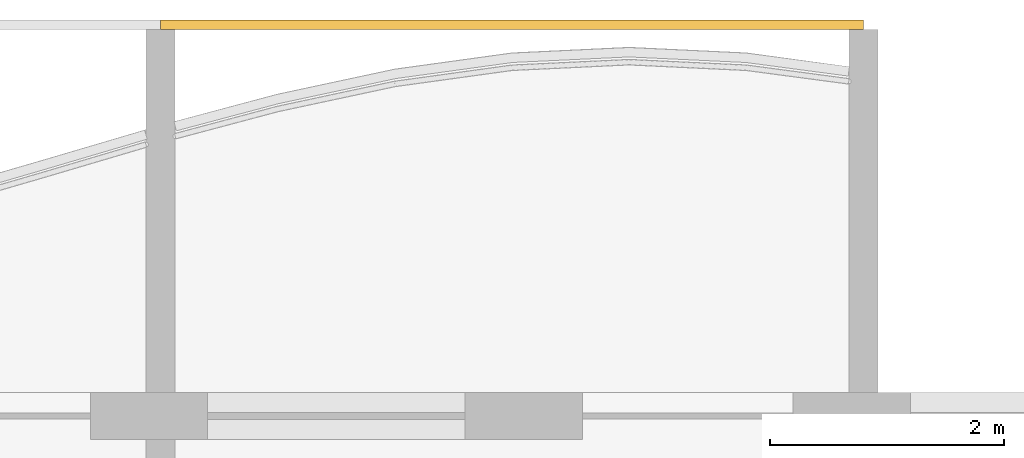
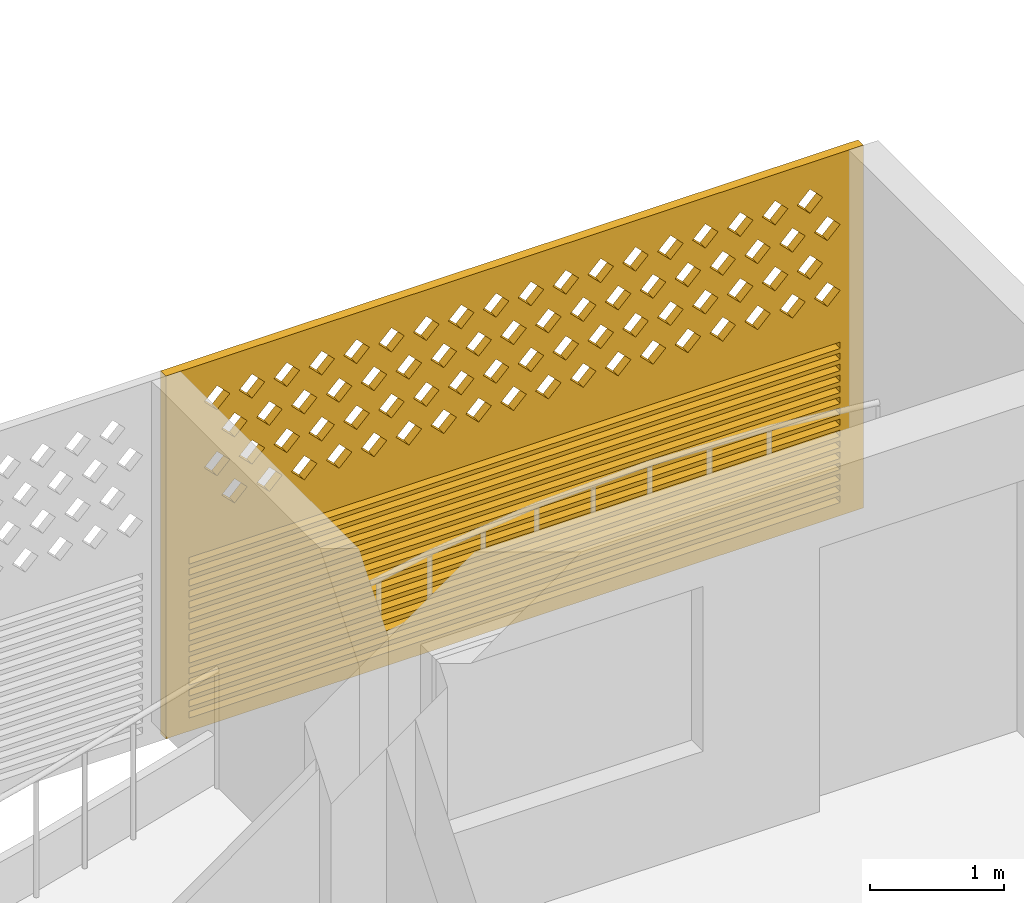
# One storey, part 23 of 29: 1 covering.
"""IFC4 building model written with IfcOpenShell, lengths in metres."""

from ifc_helpers import new_model, si_unit, direction, frame, origin, place, context, subcontext, project, spatial, polyline, outline, extrude, source, transform, mapped, material, material_profile, profile_set, type_object, element, save


model = new_model("IFC4")

# Units and contexts
model_context = context("Model", 3, precision=1e-05, world=origin(), true_north=direction((0.0, 1.0)))
body_context = subcontext(model_context, "Body", "Model", "MODEL_VIEW")
ifc_project = project(units=[si_unit("LENGTHUNIT", "METRE"), si_unit("AREAUNIT", "SQUARE_METRE"), si_unit("VOLUMEUNIT", "CUBIC_METRE"), si_unit("PLANEANGLEUNIT", "RADIAN"), si_unit("MASSUNIT", "GRAM", prefix="KILO")], contexts=[model_context])

# Site, building, storey
site_placement = place(None, origin())
site = spatial("IfcSite", under=ifc_project, at=site_placement, CompositionType="ELEMENT")
building_placement = place(site_placement, origin())
building = spatial("IfcBuilding", under=site, at=building_placement, Name="Poui Terraces", CompositionType="ELEMENT")
storey_placement = place(building_placement, frame((0.0, 0.0, 231.300048828125)))
storey = spatial("IfcBuildingStorey", under=building, at=storey_placement, Name="L64", CompositionType="ELEMENT", Elevation=231.300048828125)

# Covering
ifc_material = material(Name="Terracotta screen", Category="masonry")
ifc_material_profile = material_profile(ifc_material, outline(polyline([(-3.0, -1.64990234375), (3.0, -1.64990234375), (3.0, 1.64990234375), (-3.0, 1.64990234375), (-3.0, -1.64990234375)]), holes=[polyline([(-2.800048828125, 0.39990234375), (-2.68994140625, 0.2900390625), (-2.580078125, 0.39990234375), (-2.68994140625, 0.510009765625), (-2.800048828125, 0.39990234375)]), polyline([(-2.5, 0.39990234375), (-2.389892578125, 0.2900390625), (-2.280029296875, 0.39990234375), (-2.389892578125, 0.510009765625), (-2.5, 0.39990234375)]), polyline([(-2.199951171875, 0.39990234375), (-2.090087890625, 0.2900390625), (-1.97998046875, 0.39990234375), (-2.090087890625, 0.510009765625), (-2.199951171875, 0.39990234375)]), polyline([(-1.89990234375, 0.39990234375), (-1.7900390625, 0.2900390625), (-1.679931640625, 0.39990234375), (-1.7900390625, 0.510009765625), (-1.89990234375, 0.39990234375)]), polyline([(-1.60009765625, 0.39990234375), (-1.489990234375, 0.2900390625), (-1.3798828125, 0.39990234375), (-1.489990234375, 0.510009765625), (-1.60009765625, 0.39990234375)]), polyline([(-1.300048828125, 0.39990234375), (-1.18994140625, 0.2900390625), (-1.080078125, 0.39990234375), (-1.18994140625, 0.510009765625), (-1.300048828125, 0.39990234375)]), polyline([(-1.0, 0.39990234375), (-0.889892578125, 0.2900390625), (-0.780029296875, 0.39990234375), (-0.889892578125, 0.510009765625), (-1.0, 0.39990234375)]), polyline([(-0.699951171875, 0.39990234375), (-0.590087890625, 0.2900390625), (-0.47998046875, 0.39990234375), (-0.590087890625, 0.510009765625), (-0.699951171875, 0.39990234375)]), polyline([(-0.39990234375, 0.39990234375), (-0.2900390625, 0.2900390625), (-0.179931640625, 0.39990234375), (-0.2900390625, 0.510009765625), (-0.39990234375, 0.39990234375)]), polyline([(-0.10009765625, 0.39990234375), (0.010009765625, 0.2900390625), (0.1201171875, 0.39990234375), (0.010009765625, 0.510009765625), (-0.10009765625, 0.39990234375)]), polyline([(0.199951171875, 0.39990234375), (0.31005859375, 0.2900390625), (0.419921875, 0.39990234375), (0.31005859375, 0.510009765625), (0.199951171875, 0.39990234375)]), polyline([(0.5, 0.39990234375), (0.610107421875, 0.2900390625), (0.719970703125, 0.39990234375), (0.610107421875, 0.510009765625), (0.5, 0.39990234375)]), polyline([(0.800048828125, 0.39990234375), (0.909912109375, 0.2900390625), (1.02001953125, 0.39990234375), (0.909912109375, 0.510009765625), (0.800048828125, 0.39990234375)]), polyline([(1.10009765625, 0.39990234375), (1.2099609375, 0.2900390625), (1.320068359375, 0.39990234375), (1.2099609375, 0.510009765625), (1.10009765625, 0.39990234375)]), polyline([(1.39990234375, 0.39990234375), (1.510009765625, 0.2900390625), (1.6201171875, 0.39990234375), (1.510009765625, 0.510009765625), (1.39990234375, 0.39990234375)]), polyline([(1.699951171875, 0.39990234375), (1.81005859375, 0.2900390625), (1.919921875, 0.39990234375), (1.81005859375, 0.510009765625), (1.699951171875, 0.39990234375)]), polyline([(2.0, 0.39990234375), (2.110107421875, 0.2900390625), (2.219970703125, 0.39990234375), (2.110107421875, 0.510009765625), (2.0, 0.39990234375)]), polyline([(2.300048828125, 0.39990234375), (2.409912109375, 0.2900390625), (2.52001953125, 0.39990234375), (2.409912109375, 0.510009765625), (2.300048828125, 0.39990234375)]), polyline([(-2.64990234375, 0.699951171875), (-2.5400390625, 0.590087890625), (-2.429931640625, 0.699951171875), (-2.5400390625, 0.81005859375), (-2.64990234375, 0.699951171875)]), polyline([(-2.35009765625, 0.699951171875), (-2.239990234375, 0.590087890625), (-2.1298828125, 0.699951171875), (-2.239990234375, 0.81005859375), (-2.35009765625, 0.699951171875)]), polyline([(-2.050048828125, 0.699951171875), (-1.93994140625, 0.590087890625), (-1.830078125, 0.699951171875), (-1.93994140625, 0.81005859375), (-2.050048828125, 0.699951171875)]), polyline([(-1.75, 0.699951171875), (-1.639892578125, 0.590087890625), (-1.530029296875, 0.699951171875), (-1.639892578125, 0.81005859375), (-1.75, 0.699951171875)]), polyline([(-1.449951171875, 0.699951171875), (-1.340087890625, 0.590087890625), (-1.22998046875, 0.699951171875), (-1.340087890625, 0.81005859375), (-1.449951171875, 0.699951171875)]), polyline([(-1.14990234375, 0.699951171875), (-1.0400390625, 0.590087890625), (-0.929931640625, 0.699951171875), (-1.0400390625, 0.81005859375), (-1.14990234375, 0.699951171875)]), polyline([(-0.85009765625, 0.699951171875), (-0.739990234375, 0.590087890625), (-0.6298828125, 0.699951171875), (-0.739990234375, 0.81005859375), (-0.85009765625, 0.699951171875)]), polyline([(-0.550048828125, 0.699951171875), (-0.43994140625, 0.590087890625), (-0.330078125, 0.699951171875), (-0.43994140625, 0.81005859375), (-0.550048828125, 0.699951171875)]), polyline([(-0.25, 0.699951171875), (-0.139892578125, 0.590087890625), (-0.030029296875, 0.699951171875), (-0.139892578125, 0.81005859375), (-0.25, 0.699951171875)]), polyline([(0.050048828125, 0.699951171875), (0.159912109375, 0.590087890625), (0.27001953125, 0.699951171875), (0.159912109375, 0.81005859375), (0.050048828125, 0.699951171875)]), polyline([(0.35009765625, 0.699951171875), (0.4599609375, 0.590087890625), (0.570068359375, 0.699951171875), (0.4599609375, 0.81005859375), (0.35009765625, 0.699951171875)]), polyline([(0.64990234375, 0.699951171875), (0.760009765625, 0.590087890625), (0.8701171875, 0.699951171875), (0.760009765625, 0.81005859375), (0.64990234375, 0.699951171875)]), polyline([(0.949951171875, 0.699951171875), (1.06005859375, 0.590087890625), (1.169921875, 0.699951171875), (1.06005859375, 0.81005859375), (0.949951171875, 0.699951171875)]), polyline([(1.25, 0.699951171875), (1.360107421875, 0.590087890625), (1.469970703125, 0.699951171875), (1.360107421875, 0.81005859375), (1.25, 0.699951171875)]), polyline([(1.550048828125, 0.699951171875), (1.659912109375, 0.590087890625), (1.77001953125, 0.699951171875), (1.659912109375, 0.81005859375), (1.550048828125, 0.699951171875)]), polyline([(1.85009765625, 0.699951171875), (1.9599609375, 0.590087890625), (2.070068359375, 0.699951171875), (1.9599609375, 0.81005859375), (1.85009765625, 0.699951171875)]), polyline([(2.14990234375, 0.699951171875), (2.260009765625, 0.590087890625), (2.3701171875, 0.699951171875), (2.260009765625, 0.81005859375), (2.14990234375, 0.699951171875)]), polyline([(2.449951171875, 0.699951171875), (2.56005859375, 0.590087890625), (2.669921875, 0.699951171875), (2.56005859375, 0.81005859375), (2.449951171875, 0.699951171875)]), polyline([(-2.800048828125, 1.0), (-2.68994140625, 0.889892578125), (-2.580078125, 1.0), (-2.68994140625, 1.110107421875), (-2.800048828125, 1.0)]), polyline([(-2.5, 1.0), (-2.389892578125, 0.889892578125), (-2.280029296875, 1.0), (-2.389892578125, 1.110107421875), (-2.5, 1.0)]), polyline([(-2.199951171875, 1.0), (-2.090087890625, 0.889892578125), (-1.97998046875, 1.0), (-2.090087890625, 1.110107421875), (-2.199951171875, 1.0)]), polyline([(-1.89990234375, 1.0), (-1.7900390625, 0.889892578125), (-1.679931640625, 1.0), (-1.7900390625, 1.110107421875), (-1.89990234375, 1.0)]), polyline([(-1.60009765625, 1.0), (-1.489990234375, 0.889892578125), (-1.3798828125, 1.0), (-1.489990234375, 1.110107421875), (-1.60009765625, 1.0)]), polyline([(-1.300048828125, 1.0), (-1.18994140625, 0.889892578125), (-1.080078125, 1.0), (-1.18994140625, 1.110107421875), (-1.300048828125, 1.0)]), polyline([(-1.0, 1.0), (-0.889892578125, 0.889892578125), (-0.780029296875, 1.0), (-0.889892578125, 1.110107421875), (-1.0, 1.0)]), polyline([(-0.699951171875, 1.0), (-0.590087890625, 0.889892578125), (-0.47998046875, 1.0), (-0.590087890625, 1.110107421875), (-0.699951171875, 1.0)]), polyline([(-0.39990234375, 1.0), (-0.2900390625, 0.889892578125), (-0.179931640625, 1.0), (-0.2900390625, 1.110107421875), (-0.39990234375, 1.0)]), polyline([(-0.10009765625, 1.0), (0.010009765625, 0.889892578125), (0.1201171875, 1.0), (0.010009765625, 1.110107421875), (-0.10009765625, 1.0)]), polyline([(0.199951171875, 1.0), (0.31005859375, 0.889892578125), (0.419921875, 1.0), (0.31005859375, 1.110107421875), (0.199951171875, 1.0)]), polyline([(0.5, 1.0), (0.610107421875, 0.889892578125), (0.719970703125, 1.0), (0.610107421875, 1.110107421875), (0.5, 1.0)]), polyline([(0.800048828125, 1.0), (0.909912109375, 0.889892578125), (1.02001953125, 1.0), (0.909912109375, 1.110107421875), (0.800048828125, 1.0)]), polyline([(1.10009765625, 1.0), (1.2099609375, 0.889892578125), (1.320068359375, 1.0), (1.2099609375, 1.110107421875), (1.10009765625, 1.0)]), polyline([(1.39990234375, 1.0), (1.510009765625, 0.889892578125), (1.6201171875, 1.0), (1.510009765625, 1.110107421875), (1.39990234375, 1.0)]), polyline([(1.699951171875, 1.0), (1.81005859375, 0.889892578125), (1.919921875, 1.0), (1.81005859375, 1.110107421875), (1.699951171875, 1.0)]), polyline([(2.0, 1.0), (2.110107421875, 0.889892578125), (2.219970703125, 1.0), (2.110107421875, 1.110107421875), (2.0, 1.0)]), polyline([(2.300048828125, 1.0), (2.409912109375, 0.889892578125), (2.52001953125, 1.0), (2.409912109375, 1.110107421875), (2.300048828125, 1.0)]), polyline([(-2.64990234375, 1.300048828125), (-2.5400390625, 1.18994140625), (-2.429931640625, 1.300048828125), (-2.5400390625, 1.409912109375), (-2.64990234375, 1.300048828125)]), polyline([(-2.35009765625, 1.300048828125), (-2.239990234375, 1.18994140625), (-2.1298828125, 1.300048828125), (-2.239990234375, 1.409912109375), (-2.35009765625, 1.300048828125)]), polyline([(-2.050048828125, 1.300048828125), (-1.93994140625, 1.18994140625), (-1.830078125, 1.300048828125), (-1.93994140625, 1.409912109375), (-2.050048828125, 1.300048828125)]), polyline([(-1.75, 1.300048828125), (-1.639892578125, 1.18994140625), (-1.530029296875, 1.300048828125), (-1.639892578125, 1.409912109375), (-1.75, 1.300048828125)]), polyline([(-1.449951171875, 1.300048828125), (-1.340087890625, 1.18994140625), (-1.22998046875, 1.300048828125), (-1.340087890625, 1.409912109375), (-1.449951171875, 1.300048828125)]), polyline([(-1.14990234375, 1.300048828125), (-1.0400390625, 1.18994140625), (-0.929931640625, 1.300048828125), (-1.0400390625, 1.409912109375), (-1.14990234375, 1.300048828125)]), polyline([(-0.85009765625, 1.300048828125), (-0.739990234375, 1.18994140625), (-0.6298828125, 1.300048828125), (-0.739990234375, 1.409912109375), (-0.85009765625, 1.300048828125)]), polyline([(-0.550048828125, 1.300048828125), (-0.43994140625, 1.18994140625), (-0.330078125, 1.300048828125), (-0.43994140625, 1.409912109375), (-0.550048828125, 1.300048828125)]), polyline([(-0.25, 1.300048828125), (-0.139892578125, 1.18994140625), (-0.030029296875, 1.300048828125), (-0.139892578125, 1.409912109375), (-0.25, 1.300048828125)]), polyline([(0.050048828125, 1.300048828125), (0.159912109375, 1.18994140625), (0.27001953125, 1.300048828125), (0.159912109375, 1.409912109375), (0.050048828125, 1.300048828125)]), polyline([(0.35009765625, 1.300048828125), (0.4599609375, 1.18994140625), (0.570068359375, 1.300048828125), (0.4599609375, 1.409912109375), (0.35009765625, 1.300048828125)]), polyline([(0.64990234375, 1.300048828125), (0.760009765625, 1.18994140625), (0.8701171875, 1.300048828125), (0.760009765625, 1.409912109375), (0.64990234375, 1.300048828125)]), polyline([(0.949951171875, 1.300048828125), (1.06005859375, 1.18994140625), (1.169921875, 1.300048828125), (1.06005859375, 1.409912109375), (0.949951171875, 1.300048828125)]), polyline([(1.25, 1.300048828125), (1.360107421875, 1.18994140625), (1.469970703125, 1.300048828125), (1.360107421875, 1.409912109375), (1.25, 1.300048828125)]), polyline([(1.550048828125, 1.300048828125), (1.659912109375, 1.18994140625), (1.77001953125, 1.300048828125), (1.659912109375, 1.409912109375), (1.550048828125, 1.300048828125)]), polyline([(1.85009765625, 1.300048828125), (1.9599609375, 1.18994140625), (2.070068359375, 1.300048828125), (1.9599609375, 1.409912109375), (1.85009765625, 1.300048828125)]), polyline([(2.14990234375, 1.300048828125), (2.260009765625, 1.18994140625), (2.3701171875, 1.300048828125), (2.260009765625, 1.409912109375), (2.14990234375, 1.300048828125)]), polyline([(2.449951171875, 1.300048828125), (2.56005859375, 1.18994140625), (2.669921875, 1.300048828125), (2.56005859375, 1.409912109375), (2.449951171875, 1.300048828125)]), polyline([(-2.800048828125, -1.530029296875), (2.800048828125, -1.530029296875), (2.800048828125, -1.469970703125), (-2.800048828125, -1.469970703125), (-2.800048828125, -1.530029296875)]), polyline([(-2.800048828125, -1.429931640625), (2.800048828125, -1.429931640625), (2.800048828125, -1.3701171875), (-2.800048828125, -1.3701171875), (-2.800048828125, -1.429931640625)]), polyline([(-2.800048828125, -1.330078125), (2.800048828125, -1.330078125), (2.800048828125, -1.27001953125), (-2.800048828125, -1.27001953125), (-2.800048828125, -1.330078125)]), polyline([(-2.800048828125, -1.22998046875), (2.800048828125, -1.22998046875), (2.800048828125, -1.169921875), (-2.800048828125, -1.169921875), (-2.800048828125, -1.22998046875)]), polyline([(-2.800048828125, -1.1298828125), (2.800048828125, -1.1298828125), (2.800048828125, -1.070068359375), (-2.800048828125, -1.070068359375), (-2.800048828125, -1.1298828125)]), polyline([(-2.800048828125, -1.030029296875), (2.800048828125, -1.030029296875), (2.800048828125, -0.969970703125), (-2.800048828125, -0.969970703125), (-2.800048828125, -1.030029296875)]), polyline([(-2.800048828125, -0.929931640625), (2.800048828125, -0.929931640625), (2.800048828125, -0.8701171875), (-2.800048828125, -0.8701171875), (-2.800048828125, -0.929931640625)]), polyline([(-2.800048828125, -0.830078125), (2.800048828125, -0.830078125), (2.800048828125, -0.77001953125), (-2.800048828125, -0.77001953125), (-2.800048828125, -0.830078125)]), polyline([(-2.800048828125, -0.72998046875), (2.800048828125, -0.72998046875), (2.800048828125, -0.669921875), (-2.800048828125, -0.669921875), (-2.800048828125, -0.72998046875)]), polyline([(-2.800048828125, -0.6298828125), (2.800048828125, -0.6298828125), (2.800048828125, -0.570068359375), (-2.800048828125, -0.570068359375), (-2.800048828125, -0.6298828125)]), polyline([(-2.800048828125, -0.530029296875), (2.800048828125, -0.530029296875), (2.800048828125, -0.469970703125), (-2.800048828125, -0.469970703125), (-2.800048828125, -0.530029296875)]), polyline([(-2.800048828125, -0.429931640625), (2.800048828125, -0.429931640625), (2.800048828125, -0.3701171875), (-2.800048828125, -0.3701171875), (-2.800048828125, -0.429931640625)]), polyline([(-2.800048828125, -0.330078125), (2.800048828125, -0.330078125), (2.800048828125, -0.27001953125), (-2.800048828125, -0.27001953125), (-2.800048828125, -0.330078125)]), polyline([(-2.800048828125, -0.22998046875), (2.800048828125, -0.22998046875), (2.800048828125, -0.169921875), (-2.800048828125, -0.169921875), (-2.800048828125, -0.22998046875)]), polyline([(-2.800048828125, -0.1298828125), (2.800048828125, -0.1298828125), (2.800048828125, -0.070068359375), (-2.800048828125, -0.070068359375), (-2.800048828125, -0.1298828125)])]), Name="TERRACOTTA SCREEN AND JALOUSIE LOUVRE 6000X3300")
ifc_profile_set = profile_set([ifc_material_profile], Name="Terracotta screen")
covering_type = type_object("IfcCoveringType", Name="TERRACOTTA SCREEN AND JALOUSIE LOUVRE 6000X3300", PredefinedType="CLADDING", material=ifc_profile_set)
shared_shape = source(origin(), body_context, "Body", "SweptSolid", [
    extrude(outline(polyline([(-3.0, -1.64990234375), (3.0, -1.64990234375), (3.0, 1.64990234375), (-3.0, 1.64990234375), (-3.0, -1.64990234375)]), holes=[polyline([(-2.800048828125, 0.39990234375), (-2.68994140625, 0.2900390625), (-2.580078125, 0.39990234375), (-2.68994140625, 0.510009765625), (-2.800048828125, 0.39990234375)]), polyline([(-2.5, 0.39990234375), (-2.389892578125, 0.2900390625), (-2.280029296875, 0.39990234375), (-2.389892578125, 0.510009765625), (-2.5, 0.39990234375)]), polyline([(-2.199951171875, 0.39990234375), (-2.090087890625, 0.2900390625), (-1.97998046875, 0.39990234375), (-2.090087890625, 0.510009765625), (-2.199951171875, 0.39990234375)]), polyline([(-1.89990234375, 0.39990234375), (-1.7900390625, 0.2900390625), (-1.679931640625, 0.39990234375), (-1.7900390625, 0.510009765625), (-1.89990234375, 0.39990234375)]), polyline([(-1.60009765625, 0.39990234375), (-1.489990234375, 0.2900390625), (-1.3798828125, 0.39990234375), (-1.489990234375, 0.510009765625), (-1.60009765625, 0.39990234375)]), polyline([(-1.300048828125, 0.39990234375), (-1.18994140625, 0.2900390625), (-1.080078125, 0.39990234375), (-1.18994140625, 0.510009765625), (-1.300048828125, 0.39990234375)]), polyline([(-1.0, 0.39990234375), (-0.889892578125, 0.2900390625), (-0.780029296875, 0.39990234375), (-0.889892578125, 0.510009765625), (-1.0, 0.39990234375)]), polyline([(-0.699951171875, 0.39990234375), (-0.590087890625, 0.2900390625), (-0.47998046875, 0.39990234375), (-0.590087890625, 0.510009765625), (-0.699951171875, 0.39990234375)]), polyline([(-0.39990234375, 0.39990234375), (-0.2900390625, 0.2900390625), (-0.179931640625, 0.39990234375), (-0.2900390625, 0.510009765625), (-0.39990234375, 0.39990234375)]), polyline([(-0.10009765625, 0.39990234375), (0.010009765625, 0.2900390625), (0.1201171875, 0.39990234375), (0.010009765625, 0.510009765625), (-0.10009765625, 0.39990234375)]), polyline([(0.199951171875, 0.39990234375), (0.31005859375, 0.2900390625), (0.419921875, 0.39990234375), (0.31005859375, 0.510009765625), (0.199951171875, 0.39990234375)]), polyline([(0.5, 0.39990234375), (0.610107421875, 0.2900390625), (0.719970703125, 0.39990234375), (0.610107421875, 0.510009765625), (0.5, 0.39990234375)]), polyline([(0.800048828125, 0.39990234375), (0.909912109375, 0.2900390625), (1.02001953125, 0.39990234375), (0.909912109375, 0.510009765625), (0.800048828125, 0.39990234375)]), polyline([(1.10009765625, 0.39990234375), (1.2099609375, 0.2900390625), (1.320068359375, 0.39990234375), (1.2099609375, 0.510009765625), (1.10009765625, 0.39990234375)]), polyline([(1.39990234375, 0.39990234375), (1.510009765625, 0.2900390625), (1.6201171875, 0.39990234375), (1.510009765625, 0.510009765625), (1.39990234375, 0.39990234375)]), polyline([(1.699951171875, 0.39990234375), (1.81005859375, 0.2900390625), (1.919921875, 0.39990234375), (1.81005859375, 0.510009765625), (1.699951171875, 0.39990234375)]), polyline([(2.0, 0.39990234375), (2.110107421875, 0.2900390625), (2.219970703125, 0.39990234375), (2.110107421875, 0.510009765625), (2.0, 0.39990234375)]), polyline([(2.300048828125, 0.39990234375), (2.409912109375, 0.2900390625), (2.52001953125, 0.39990234375), (2.409912109375, 0.510009765625), (2.300048828125, 0.39990234375)]), polyline([(-2.64990234375, 0.699951171875), (-2.5400390625, 0.590087890625), (-2.429931640625, 0.699951171875), (-2.5400390625, 0.81005859375), (-2.64990234375, 0.699951171875)]), polyline([(-2.35009765625, 0.699951171875), (-2.239990234375, 0.590087890625), (-2.1298828125, 0.699951171875), (-2.239990234375, 0.81005859375), (-2.35009765625, 0.699951171875)]), polyline([(-2.050048828125, 0.699951171875), (-1.93994140625, 0.590087890625), (-1.830078125, 0.699951171875), (-1.93994140625, 0.81005859375), (-2.050048828125, 0.699951171875)]), polyline([(-1.75, 0.699951171875), (-1.639892578125, 0.590087890625), (-1.530029296875, 0.699951171875), (-1.639892578125, 0.81005859375), (-1.75, 0.699951171875)]), polyline([(-1.449951171875, 0.699951171875), (-1.340087890625, 0.590087890625), (-1.22998046875, 0.699951171875), (-1.340087890625, 0.81005859375), (-1.449951171875, 0.699951171875)]), polyline([(-1.14990234375, 0.699951171875), (-1.0400390625, 0.590087890625), (-0.929931640625, 0.699951171875), (-1.0400390625, 0.81005859375), (-1.14990234375, 0.699951171875)]), polyline([(-0.85009765625, 0.699951171875), (-0.739990234375, 0.590087890625), (-0.6298828125, 0.699951171875), (-0.739990234375, 0.81005859375), (-0.85009765625, 0.699951171875)]), polyline([(-0.550048828125, 0.699951171875), (-0.43994140625, 0.590087890625), (-0.330078125, 0.699951171875), (-0.43994140625, 0.81005859375), (-0.550048828125, 0.699951171875)]), polyline([(-0.25, 0.699951171875), (-0.139892578125, 0.590087890625), (-0.030029296875, 0.699951171875), (-0.139892578125, 0.81005859375), (-0.25, 0.699951171875)]), polyline([(0.050048828125, 0.699951171875), (0.159912109375, 0.590087890625), (0.27001953125, 0.699951171875), (0.159912109375, 0.81005859375), (0.050048828125, 0.699951171875)]), polyline([(0.35009765625, 0.699951171875), (0.4599609375, 0.590087890625), (0.570068359375, 0.699951171875), (0.4599609375, 0.81005859375), (0.35009765625, 0.699951171875)]), polyline([(0.64990234375, 0.699951171875), (0.760009765625, 0.590087890625), (0.8701171875, 0.699951171875), (0.760009765625, 0.81005859375), (0.64990234375, 0.699951171875)]), polyline([(0.949951171875, 0.699951171875), (1.06005859375, 0.590087890625), (1.169921875, 0.699951171875), (1.06005859375, 0.81005859375), (0.949951171875, 0.699951171875)]), polyline([(1.25, 0.699951171875), (1.360107421875, 0.590087890625), (1.469970703125, 0.699951171875), (1.360107421875, 0.81005859375), (1.25, 0.699951171875)]), polyline([(1.550048828125, 0.699951171875), (1.659912109375, 0.590087890625), (1.77001953125, 0.699951171875), (1.659912109375, 0.81005859375), (1.550048828125, 0.699951171875)]), polyline([(1.85009765625, 0.699951171875), (1.9599609375, 0.590087890625), (2.070068359375, 0.699951171875), (1.9599609375, 0.81005859375), (1.85009765625, 0.699951171875)]), polyline([(2.14990234375, 0.699951171875), (2.260009765625, 0.590087890625), (2.3701171875, 0.699951171875), (2.260009765625, 0.81005859375), (2.14990234375, 0.699951171875)]), polyline([(2.449951171875, 0.699951171875), (2.56005859375, 0.590087890625), (2.669921875, 0.699951171875), (2.56005859375, 0.81005859375), (2.449951171875, 0.699951171875)]), polyline([(-2.800048828125, 1.0), (-2.68994140625, 0.889892578125), (-2.580078125, 1.0), (-2.68994140625, 1.110107421875), (-2.800048828125, 1.0)]), polyline([(-2.5, 1.0), (-2.389892578125, 0.889892578125), (-2.280029296875, 1.0), (-2.389892578125, 1.110107421875), (-2.5, 1.0)]), polyline([(-2.199951171875, 1.0), (-2.090087890625, 0.889892578125), (-1.97998046875, 1.0), (-2.090087890625, 1.110107421875), (-2.199951171875, 1.0)]), polyline([(-1.89990234375, 1.0), (-1.7900390625, 0.889892578125), (-1.679931640625, 1.0), (-1.7900390625, 1.110107421875), (-1.89990234375, 1.0)]), polyline([(-1.60009765625, 1.0), (-1.489990234375, 0.889892578125), (-1.3798828125, 1.0), (-1.489990234375, 1.110107421875), (-1.60009765625, 1.0)]), polyline([(-1.300048828125, 1.0), (-1.18994140625, 0.889892578125), (-1.080078125, 1.0), (-1.18994140625, 1.110107421875), (-1.300048828125, 1.0)]), polyline([(-1.0, 1.0), (-0.889892578125, 0.889892578125), (-0.780029296875, 1.0), (-0.889892578125, 1.110107421875), (-1.0, 1.0)]), polyline([(-0.699951171875, 1.0), (-0.590087890625, 0.889892578125), (-0.47998046875, 1.0), (-0.590087890625, 1.110107421875), (-0.699951171875, 1.0)]), polyline([(-0.39990234375, 1.0), (-0.2900390625, 0.889892578125), (-0.179931640625, 1.0), (-0.2900390625, 1.110107421875), (-0.39990234375, 1.0)]), polyline([(-0.10009765625, 1.0), (0.010009765625, 0.889892578125), (0.1201171875, 1.0), (0.010009765625, 1.110107421875), (-0.10009765625, 1.0)]), polyline([(0.199951171875, 1.0), (0.31005859375, 0.889892578125), (0.419921875, 1.0), (0.31005859375, 1.110107421875), (0.199951171875, 1.0)]), polyline([(0.5, 1.0), (0.610107421875, 0.889892578125), (0.719970703125, 1.0), (0.610107421875, 1.110107421875), (0.5, 1.0)]), polyline([(0.800048828125, 1.0), (0.909912109375, 0.889892578125), (1.02001953125, 1.0), (0.909912109375, 1.110107421875), (0.800048828125, 1.0)]), polyline([(1.10009765625, 1.0), (1.2099609375, 0.889892578125), (1.320068359375, 1.0), (1.2099609375, 1.110107421875), (1.10009765625, 1.0)]), polyline([(1.39990234375, 1.0), (1.510009765625, 0.889892578125), (1.6201171875, 1.0), (1.510009765625, 1.110107421875), (1.39990234375, 1.0)]), polyline([(1.699951171875, 1.0), (1.81005859375, 0.889892578125), (1.919921875, 1.0), (1.81005859375, 1.110107421875), (1.699951171875, 1.0)]), polyline([(2.0, 1.0), (2.110107421875, 0.889892578125), (2.219970703125, 1.0), (2.110107421875, 1.110107421875), (2.0, 1.0)]), polyline([(2.300048828125, 1.0), (2.409912109375, 0.889892578125), (2.52001953125, 1.0), (2.409912109375, 1.110107421875), (2.300048828125, 1.0)]), polyline([(-2.64990234375, 1.300048828125), (-2.5400390625, 1.18994140625), (-2.429931640625, 1.300048828125), (-2.5400390625, 1.409912109375), (-2.64990234375, 1.300048828125)]), polyline([(-2.35009765625, 1.300048828125), (-2.239990234375, 1.18994140625), (-2.1298828125, 1.300048828125), (-2.239990234375, 1.409912109375), (-2.35009765625, 1.300048828125)]), polyline([(-2.050048828125, 1.300048828125), (-1.93994140625, 1.18994140625), (-1.830078125, 1.300048828125), (-1.93994140625, 1.409912109375), (-2.050048828125, 1.300048828125)]), polyline([(-1.75, 1.300048828125), (-1.639892578125, 1.18994140625), (-1.530029296875, 1.300048828125), (-1.639892578125, 1.409912109375), (-1.75, 1.300048828125)]), polyline([(-1.449951171875, 1.300048828125), (-1.340087890625, 1.18994140625), (-1.22998046875, 1.300048828125), (-1.340087890625, 1.409912109375), (-1.449951171875, 1.300048828125)]), polyline([(-1.14990234375, 1.300048828125), (-1.0400390625, 1.18994140625), (-0.929931640625, 1.300048828125), (-1.0400390625, 1.409912109375), (-1.14990234375, 1.300048828125)]), polyline([(-0.85009765625, 1.300048828125), (-0.739990234375, 1.18994140625), (-0.6298828125, 1.300048828125), (-0.739990234375, 1.409912109375), (-0.85009765625, 1.300048828125)]), polyline([(-0.550048828125, 1.300048828125), (-0.43994140625, 1.18994140625), (-0.330078125, 1.300048828125), (-0.43994140625, 1.409912109375), (-0.550048828125, 1.300048828125)]), polyline([(-0.25, 1.300048828125), (-0.139892578125, 1.18994140625), (-0.030029296875, 1.300048828125), (-0.139892578125, 1.409912109375), (-0.25, 1.300048828125)]), polyline([(0.050048828125, 1.300048828125), (0.159912109375, 1.18994140625), (0.27001953125, 1.300048828125), (0.159912109375, 1.409912109375), (0.050048828125, 1.300048828125)]), polyline([(0.35009765625, 1.300048828125), (0.4599609375, 1.18994140625), (0.570068359375, 1.300048828125), (0.4599609375, 1.409912109375), (0.35009765625, 1.300048828125)]), polyline([(0.64990234375, 1.300048828125), (0.760009765625, 1.18994140625), (0.8701171875, 1.300048828125), (0.760009765625, 1.409912109375), (0.64990234375, 1.300048828125)]), polyline([(0.949951171875, 1.300048828125), (1.06005859375, 1.18994140625), (1.169921875, 1.300048828125), (1.06005859375, 1.409912109375), (0.949951171875, 1.300048828125)]), polyline([(1.25, 1.300048828125), (1.360107421875, 1.18994140625), (1.469970703125, 1.300048828125), (1.360107421875, 1.409912109375), (1.25, 1.300048828125)]), polyline([(1.550048828125, 1.300048828125), (1.659912109375, 1.18994140625), (1.77001953125, 1.300048828125), (1.659912109375, 1.409912109375), (1.550048828125, 1.300048828125)]), polyline([(1.85009765625, 1.300048828125), (1.9599609375, 1.18994140625), (2.070068359375, 1.300048828125), (1.9599609375, 1.409912109375), (1.85009765625, 1.300048828125)]), polyline([(2.14990234375, 1.300048828125), (2.260009765625, 1.18994140625), (2.3701171875, 1.300048828125), (2.260009765625, 1.409912109375), (2.14990234375, 1.300048828125)]), polyline([(2.449951171875, 1.300048828125), (2.56005859375, 1.18994140625), (2.669921875, 1.300048828125), (2.56005859375, 1.409912109375), (2.449951171875, 1.300048828125)]), polyline([(-2.800048828125, -1.530029296875), (2.800048828125, -1.530029296875), (2.800048828125, -1.469970703125), (-2.800048828125, -1.469970703125), (-2.800048828125, -1.530029296875)]), polyline([(-2.800048828125, -1.429931640625), (2.800048828125, -1.429931640625), (2.800048828125, -1.3701171875), (-2.800048828125, -1.3701171875), (-2.800048828125, -1.429931640625)]), polyline([(-2.800048828125, -1.330078125), (2.800048828125, -1.330078125), (2.800048828125, -1.27001953125), (-2.800048828125, -1.27001953125), (-2.800048828125, -1.330078125)]), polyline([(-2.800048828125, -1.22998046875), (2.800048828125, -1.22998046875), (2.800048828125, -1.169921875), (-2.800048828125, -1.169921875), (-2.800048828125, -1.22998046875)]), polyline([(-2.800048828125, -1.1298828125), (2.800048828125, -1.1298828125), (2.800048828125, -1.070068359375), (-2.800048828125, -1.070068359375), (-2.800048828125, -1.1298828125)]), polyline([(-2.800048828125, -1.030029296875), (2.800048828125, -1.030029296875), (2.800048828125, -0.969970703125), (-2.800048828125, -0.969970703125), (-2.800048828125, -1.030029296875)]), polyline([(-2.800048828125, -0.929931640625), (2.800048828125, -0.929931640625), (2.800048828125, -0.8701171875), (-2.800048828125, -0.8701171875), (-2.800048828125, -0.929931640625)]), polyline([(-2.800048828125, -0.830078125), (2.800048828125, -0.830078125), (2.800048828125, -0.77001953125), (-2.800048828125, -0.77001953125), (-2.800048828125, -0.830078125)]), polyline([(-2.800048828125, -0.72998046875), (2.800048828125, -0.72998046875), (2.800048828125, -0.669921875), (-2.800048828125, -0.669921875), (-2.800048828125, -0.72998046875)]), polyline([(-2.800048828125, -0.6298828125), (2.800048828125, -0.6298828125), (2.800048828125, -0.570068359375), (-2.800048828125, -0.570068359375), (-2.800048828125, -0.6298828125)]), polyline([(-2.800048828125, -0.530029296875), (2.800048828125, -0.530029296875), (2.800048828125, -0.469970703125), (-2.800048828125, -0.469970703125), (-2.800048828125, -0.530029296875)]), polyline([(-2.800048828125, -0.429931640625), (2.800048828125, -0.429931640625), (2.800048828125, -0.3701171875), (-2.800048828125, -0.3701171875), (-2.800048828125, -0.429931640625)]), polyline([(-2.800048828125, -0.330078125), (2.800048828125, -0.330078125), (2.800048828125, -0.27001953125), (-2.800048828125, -0.27001953125), (-2.800048828125, -0.330078125)]), polyline([(-2.800048828125, -0.22998046875), (2.800048828125, -0.22998046875), (2.800048828125, -0.169921875), (-2.800048828125, -0.169921875), (-2.800048828125, -0.22998046875)]), polyline([(-2.800048828125, -0.1298828125), (2.800048828125, -0.1298828125), (2.800048828125, -0.070068359375), (-2.800048828125, -0.070068359375), (-2.800048828125, -0.1298828125)])]), origin(), (0.0, 0.0, 1.0), 0.080078125),
])
covering_placement = place(storey_placement, frame((51.0, 44.5, 1.449951171875), z_axis=(0.0, 1.0, 0.0), x_axis=(-1.0, 0.0, 0.0)))
element("IfcCovering", 1, at=covering_placement, inside=storey, type_object=covering_type, Name="SOLAR SCREEN AND JALOUSIE LOUVRE", PredefinedType="CLADDING", context=body_context, shape_type="MappedRepresentation", body=[
    mapped(shared_shape, transform((0.0, 0.0, 0.0))),
])

save(model, "model.ifc")
